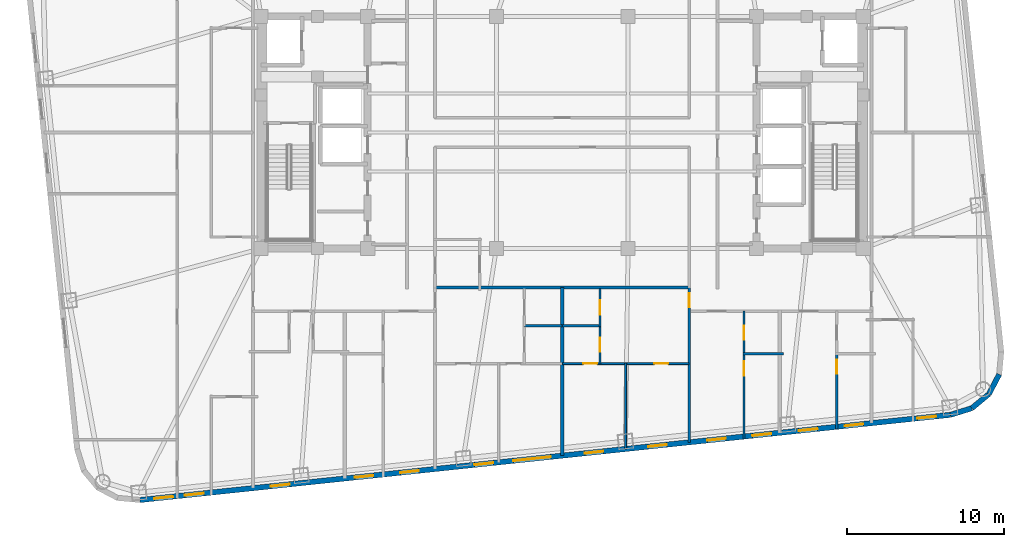
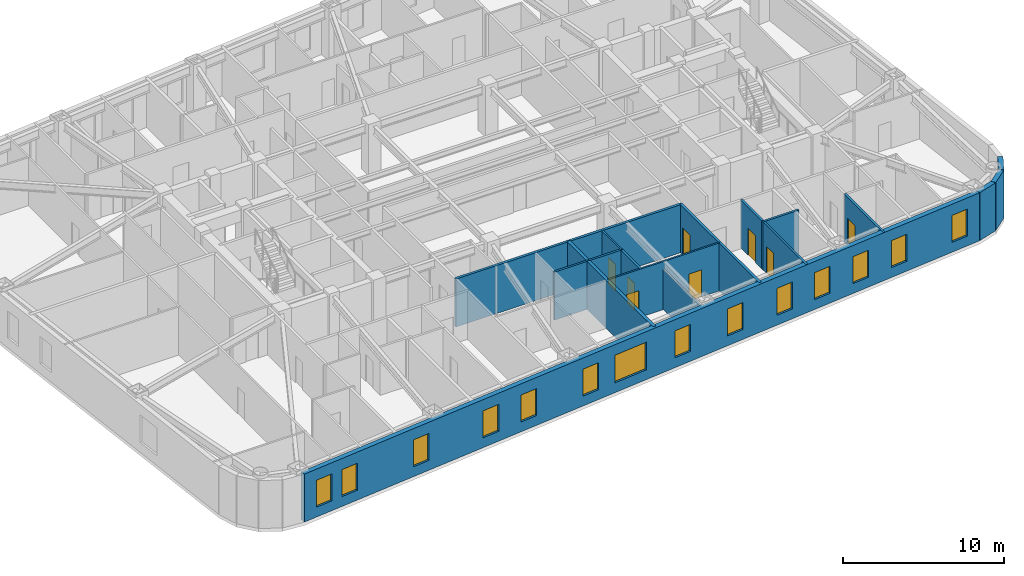
# One storey, part 5 of 12: 17 walls, 14 windows, 8 doors, 22 openings.
"""IFC4 building model written with IfcOpenShell, lengths in metres."""

from ifc_helpers import new_model, si_unit, direction, frame, frame_2d, origin, place, context, subcontext, project, spatial, rectangle, extrude, material, layer, layer_set, type_object, element, fill, save


model = new_model("IFC4")

# Units and contexts
model_context = context("Model", 3, precision=1e-05, world=origin(), true_north=direction((0.0, 1.0)))
body_context = subcontext(model_context, "Body", "Model", "MODEL_VIEW")
ifc_project = project(units=[si_unit("LENGTHUNIT", "METRE"), si_unit("AREAUNIT", "SQUARE_METRE"), si_unit("VOLUMEUNIT", "CUBIC_METRE"), si_unit("PLANEANGLEUNIT", "RADIAN"), si_unit("MASSUNIT", "GRAM", prefix="KILO")], contexts=[model_context])

# Site, building, storey
site_placement = place(None, origin())
site = spatial("IfcSite", under=ifc_project, at=site_placement, CompositionType="ELEMENT")
building_placement = place(site_placement, origin())
building = spatial("IfcBuilding", under=site, at=building_placement, Name="Voryun Gate Residences", CompositionType="ELEMENT")
storey_placement = place(building_placement, frame((0.0, 0.0, 152.10009765625)))
storey = spatial("IfcBuildingStorey", under=building, at=storey_placement, Name="L37", CompositionType="ELEMENT", Elevation=152.10009765625)

# Wall
ifc_material_1 = material(Name="Gypsum acoustic fireboard")
ifc_layer_1 = layer(ifc_material_1, 0.179931640625, Name="W_CORR_RATED_180")
ifc_layer_set_1 = layer_set([ifc_layer_1], Name="Gypsum acoustic fireboard")
wall_type_1 = type_object("IfcWallType", Name="W_CORR_RATED_180", PredefinedType="PARTITIONING", material=ifc_layer_set_1)
wall_1_placement = place(storey_placement, frame((-8.14990234375, -9.889892578125, 0.0), z_axis=(0.0, 0.0, 1.0), x_axis=(1.0, 0.0, 0.0)))
element("IfcWall", 1, at=wall_1_placement, inside=storey, type_object=wall_type_1, Name="Partition wall WP-L37-Z2S", PredefinedType="PARTITIONING", context=body_context, shape_type="SweptSolid", body=[
    extrude(rectangle(XDim=16.2998046875, YDim=0.179931640625, at=frame_2d((8.14990234375, 0.0))), origin(), (0.0, 0.0, 1.0), 3.64990234375),
])

# Wall, opening, door
wall_2_placement = place(storey_placement, frame((8.10009765625, -19.75390625, 0.0), z_axis=(0.0, 0.0, 1.0), x_axis=(0.0, 1.0, 0.0)))
wall_2 = element("IfcWall", 2, at=wall_2_placement, inside=storey, type_object=wall_type_1, Name="Partition wall WP-L37-SZV-2", PredefinedType="PARTITIONING", context=body_context, shape_type="SweptSolid", body=[
    extrude(rectangle(XDim=9.864013671875, YDim=0.179931640625, at=frame_2d((4.93212890625, 0.0))), origin(), (0.0, 0.0, 1.0), 3.64990234375),
])
opening_1_placement = place(wall_2_placement, frame((8.61376953125, 0.0, 0.0)))
opening_1 = element("IfcOpeningElement", 3, at=opening_1_placement, cuts=wall_2, Name="Opening D-INT-2", PredefinedType="OPENING", context=body_context, shape_type="SweptSolid", body=[
    extrude(rectangle(XDim=0.89990234375, YDim=2.050048828125, at=frame_2d((0.449951171875, 1.02490234375))), frame((0.0, 0.099853515625, 0.0), z_axis=(0.0, -1.0, 0.0), x_axis=(1.0, 0.0, 0.0)), (0.0, 0.0, 1.0), 0.199951171875),
])
ifc_material_2 = material(Name="Architectural oak veneer")
door_type = type_object("IfcDoorType", Name="DR_INT_BATH_900", OperationType="NOTDEFINED", PredefinedType="DOOR", material=ifc_material_2)
door_1_placement = place(opening_1_placement, origin())
door_1 = element("IfcDoor", 4, at=door_1_placement, inside=storey, type_object=door_type, Name="Door DR-L37-SZENT-2", OperationType="SINGLE_SWING_RIGHT", OverallHeight=2.050048828125, OverallWidth=0.89990234375, PredefinedType="DOOR", context=body_context, shape_type="SweptSolid", body=[
    extrude(rectangle(XDim=0.89990234375, YDim=2.050048828125, at=frame_2d((0.449951171875, 1.02490234375))), frame((0.0, 0.02490234375, 0.0), z_axis=(0.0, -1.0, 0.0), x_axis=(1.0, 0.0, 0.0)), (0.0, 0.0, 1.0), 0.050048828125),
])
fill(opening_1, door_1)

# Wall, openings, windows
ifc_material_3 = material(Name="Charcoal terracotta masonry", Category="masonry")
ifc_layer_2 = layer(ifc_material_3, 0.340087890625, Name="W_EXT_TERRACOTTA_340")
ifc_layer_set_2 = layer_set([ifc_layer_2], Name="Charcoal terracotta masonry")
wall_type_2 = type_object("IfcWallType", Name="W_EXT_TERRACOTTA_340", PredefinedType="ELEMENTEDWALL", material=ifc_layer_set_2)
wall_3_placement = place(storey_placement, frame((24.755615234375, -18.003173828125, 0.0), z_axis=(0.0, 0.0, 1.0), x_axis=(-0.99452160744, -0.104531202687, 0.0)))
wall_3 = element("IfcWall", 5, at=wall_3_placement, inside=storey, type_object=wall_type_2, Name="Exterior wall WEXT-L37-01", PredefinedType="ELEMENTEDWALL", context=body_context, shape_type="SweptSolid", body=[
    extrude(rectangle(XDim=51.966552734375, YDim=0.340087890625, at=frame_2d((25.9833984375, 0.0))), origin(), (0.0, 0.0, 1.0), 3.64990234375),
])
opening_2_placement = place(wall_3_placement, frame((25.63330078125, 0.0, 0.75)))
opening_2 = element("IfcOpeningElement", 6, at=opening_2_placement, cuts=wall_3, Name="Opening WN2", PredefinedType="OPENING", context=body_context, shape_type="SweptSolid", body=[
    extrude(rectangle(XDim=2.39990234375, YDim=2.10009765625, at=frame_2d((1.199951171875, 1.050048828125))), frame((0.0, 0.179931640625, 0.0), z_axis=(0.0, -1.0, 0.0), x_axis=(1.0, 0.0, 0.0)), (0.0, 0.0, 1.0), 0.360107421875),
])
opening_3_placement = place(wall_3_placement, frame((42.369384765625, 0.0, 0.75)))
opening_3 = element("IfcOpeningElement", 7, at=opening_3_placement, cuts=wall_3, Name="Opening WN6", PredefinedType="OPENING", context=body_context, shape_type="SweptSolid", body=[
    extrude(rectangle(XDim=1.199951171875, YDim=2.050048828125, at=frame_2d((0.60009765625, 1.02490234375))), frame((0.0, 0.179931640625, 0.0), z_axis=(0.0, -1.0, 0.0), x_axis=(1.0, 0.0, 0.0)), (0.0, 0.0, 1.0), 0.360107421875),
])
opening_4_placement = place(wall_3_placement, frame((34.084716796875, 0.0, 0.75)))
opening_4 = element("IfcOpeningElement", 8, at=opening_4_placement, cuts=wall_3, Name="Opening WN6", PredefinedType="OPENING", context=body_context, shape_type="SweptSolid", body=[
    extrude(rectangle(XDim=1.199951171875, YDim=2.050048828125, at=frame_2d((0.60009765625, 1.02490234375))), frame((0.0, 0.179931640625, 0.0), z_axis=(0.0, -1.0, 0.0), x_axis=(1.0, 0.0, 0.0)), (0.0, 0.0, 1.0), 0.360107421875),
])
opening_5_placement = place(wall_3_placement, frame((36.9931640625, 0.0, 0.75)))
opening_5 = element("IfcOpeningElement", 9, at=opening_5_placement, cuts=wall_3, Name="Opening WN6", PredefinedType="OPENING", context=body_context, shape_type="SweptSolid", body=[
    extrude(rectangle(XDim=1.199951171875, YDim=2.050048828125, at=frame_2d((0.60009765625, 1.02490234375))), frame((0.0, 0.179931640625, 0.0), z_axis=(0.0, -1.0, 0.0), x_axis=(1.0, 0.0, 0.0)), (0.0, 0.0, 1.0), 0.360107421875),
])
opening_6_placement = place(wall_3_placement, frame((14.3974609375, 0.0, 0.75)))
opening_6 = element("IfcOpeningElement", 10, at=opening_6_placement, cuts=wall_3, Name="Opening WN6", PredefinedType="OPENING", context=body_context, shape_type="SweptSolid", body=[
    extrude(rectangle(XDim=1.199951171875, YDim=2.050048828125, at=frame_2d((0.60009765625, 1.02490234375))), frame((0.0, 0.179931640625, 0.0), z_axis=(0.0, -1.0, 0.0), x_axis=(1.0, 0.0, 0.0)), (0.0, 0.0, 1.0), 0.360107421875),
])
opening_7_placement = place(wall_3_placement, frame((11.489013671875, 0.0, 0.75)))
opening_7 = element("IfcOpeningElement", 11, at=opening_7_placement, cuts=wall_3, Name="Opening WN6", PredefinedType="OPENING", context=body_context, shape_type="SweptSolid", body=[
    extrude(rectangle(XDim=1.199951171875, YDim=2.050048828125, at=frame_2d((0.60009765625, 1.02490234375))), frame((0.0, 0.179931640625, 0.0), z_axis=(0.0, -1.0, 0.0), x_axis=(1.0, 0.0, 0.0)), (0.0, 0.0, 1.0), 0.360107421875),
])
opening_8_placement = place(wall_3_placement, frame((8.520751953125, 0.0, 0.75)))
opening_8 = element("IfcOpeningElement", 12, at=opening_8_placement, cuts=wall_3, Name="Opening WN6", PredefinedType="OPENING", context=body_context, shape_type="SweptSolid", body=[
    extrude(rectangle(XDim=1.199951171875, YDim=2.050048828125, at=frame_2d((0.60009765625, 1.02490234375))), frame((0.0, 0.179931640625, 0.0), z_axis=(0.0, -1.0, 0.0), x_axis=(1.0, 0.0, 0.0)), (0.0, 0.0, 1.0), 0.360107421875),
])
opening_9_placement = place(wall_3_placement, frame((5.58203125, 0.0, 0.75)))
opening_9 = element("IfcOpeningElement", 13, at=opening_9_placement, cuts=wall_3, Name="Opening WN6", PredefinedType="OPENING", context=body_context, shape_type="SweptSolid", body=[
    extrude(rectangle(XDim=1.199951171875, YDim=2.050048828125, at=frame_2d((0.60009765625, 1.02490234375))), frame((0.0, 0.179931640625, 0.0), z_axis=(0.0, -1.0, 0.0), x_axis=(1.0, 0.0, 0.0)), (0.0, 0.0, 1.0), 0.360107421875),
])
opening_10_placement = place(wall_3_placement, frame((29.31298828125, 0.0, 0.75)))
opening_10 = element("IfcOpeningElement", 14, at=opening_10_placement, cuts=wall_3, Name="Opening WN6", PredefinedType="OPENING", context=body_context, shape_type="SweptSolid", body=[
    extrude(rectangle(XDim=1.199951171875, YDim=2.050048828125, at=frame_2d((0.60009765625, 1.02490234375))), frame((0.0, 0.179931640625, 0.0), z_axis=(0.0, -1.0, 0.0), x_axis=(1.0, 0.0, 0.0)), (0.0, 0.0, 1.0), 0.360107421875),
])
opening_11_placement = place(wall_3_placement, frame((22.248291015625, 0.0, 0.75)))
opening_11 = element("IfcOpeningElement", 15, at=opening_11_placement, cuts=wall_3, Name="Opening WN6", PredefinedType="OPENING", context=body_context, shape_type="SweptSolid", body=[
    extrude(rectangle(XDim=1.199951171875, YDim=2.050048828125, at=frame_2d((0.60009765625, 1.02490234375))), frame((0.0, 0.179931640625, 0.0), z_axis=(0.0, -1.0, 0.0), x_axis=(1.0, 0.0, 0.0)), (0.0, 0.0, 1.0), 0.360107421875),
])
opening_12_placement = place(wall_3_placement, frame((18.18603515625, 0.0, 0.75)))
opening_12 = element("IfcOpeningElement", 16, at=opening_12_placement, cuts=wall_3, Name="Opening WN6", PredefinedType="OPENING", context=body_context, shape_type="SweptSolid", body=[
    extrude(rectangle(XDim=1.199951171875, YDim=2.050048828125, at=frame_2d((0.60009765625, 1.02490234375))), frame((0.0, 0.179931640625, 0.0), z_axis=(0.0, -1.0, 0.0), x_axis=(1.0, 0.0, 0.0)), (0.0, 0.0, 1.0), 0.360107421875),
])
opening_13_placement = place(wall_3_placement, frame((47.87890625, 0.0, 0.75)))
opening_13 = element("IfcOpeningElement", 17, at=opening_13_placement, cuts=wall_3, Name="Opening WN6", PredefinedType="OPENING", context=body_context, shape_type="SweptSolid", body=[
    extrude(rectangle(XDim=1.199951171875, YDim=2.050048828125, at=frame_2d((0.60009765625, 1.02490234375))), frame((0.0, 0.179931640625, 0.0), z_axis=(0.0, -1.0, 0.0), x_axis=(1.0, 0.0, 0.0)), (0.0, 0.0, 1.0), 0.360107421875),
])
opening_14_placement = place(wall_3_placement, frame((49.84423828125, 0.0, 0.75)))
opening_14 = element("IfcOpeningElement", 18, at=opening_14_placement, cuts=wall_3, Name="Opening WN6", PredefinedType="OPENING", context=body_context, shape_type="SweptSolid", body=[
    extrude(rectangle(XDim=1.199951171875, YDim=2.050048828125, at=frame_2d((0.60009765625, 1.02490234375))), frame((0.0, 0.179931640625, 0.0), z_axis=(0.0, -1.0, 0.0), x_axis=(1.0, 0.0, 0.0)), (0.0, 0.0, 1.0), 0.360107421875),
])
opening_15_placement = place(wall_3_placement, frame((0.924560546875, 0.0, 0.75)))
opening_15 = element("IfcOpeningElement", 19, at=opening_15_placement, cuts=wall_3, Name="Opening WN6", PredefinedType="OPENING", context=body_context, shape_type="SweptSolid", body=[
    extrude(rectangle(XDim=1.199951171875, YDim=2.050048828125, at=frame_2d((0.60009765625, 1.02490234375))), frame((0.0, 0.179931640625, 0.0), z_axis=(0.0, -1.0, 0.0), x_axis=(1.0, 0.0, 0.0)), (0.0, 0.0, 1.0), 0.360107421875),
])
ifc_material_4 = material(Name="Laminated low-E glass", Category="glass")
window_type_1 = type_object("IfcWindowType", Name="WN_POD_SLOT_1200", PartitioningType="SINGLE_PANEL", PredefinedType="WINDOW", material=ifc_material_4)
window_1_placement = place(opening_3_placement, origin())
window_1 = element("IfcWindow", 20, at=window_1_placement, inside=storey, type_object=window_type_1, Name="Window WN-L37-DWFIX-10", OverallHeight=2.050048828125, OverallWidth=1.199951171875, PartitioningType="SINGLE_PANEL", PredefinedType="WINDOW", context=body_context, shape_type="SweptSolid", body=[
    extrude(rectangle(XDim=1.199951171875, YDim=2.050048828125, at=frame_2d((0.60009765625, 1.02490234375))), frame((0.0, 0.030029296875, 0.0), z_axis=(0.0, -1.0, 0.0), x_axis=(1.0, 0.0, 0.0)), (0.0, 0.0, 1.0), 0.06005859375),
])
fill(opening_3, window_1)
window_2_placement = place(opening_4_placement, origin())
window_2 = element("IfcWindow", 21, at=window_2_placement, inside=storey, type_object=window_type_1, Name="Window WN-L37-DWFIX-11", OverallHeight=2.050048828125, OverallWidth=1.199951171875, PartitioningType="SINGLE_PANEL", PredefinedType="WINDOW", context=body_context, shape_type="SweptSolid", body=[
    extrude(rectangle(XDim=1.199951171875, YDim=2.050048828125, at=frame_2d((0.60009765625, 1.02490234375))), frame((0.0, 0.030029296875, 0.0), z_axis=(0.0, -1.0, 0.0), x_axis=(1.0, 0.0, 0.0)), (0.0, 0.0, 1.0), 0.06005859375),
])
fill(opening_4, window_2)
window_3_placement = place(opening_5_placement, origin())
window_3 = element("IfcWindow", 22, at=window_3_placement, inside=storey, type_object=window_type_1, Name="Window WN-L37-DWFIX-12", OverallHeight=2.050048828125, OverallWidth=1.199951171875, PartitioningType="SINGLE_PANEL", PredefinedType="WINDOW", context=body_context, shape_type="SweptSolid", body=[
    extrude(rectangle(XDim=1.199951171875, YDim=2.050048828125, at=frame_2d((0.60009765625, 1.02490234375))), frame((0.0, 0.030029296875, 0.0), z_axis=(0.0, -1.0, 0.0), x_axis=(1.0, 0.0, 0.0)), (0.0, 0.0, 1.0), 0.06005859375),
])
fill(opening_5, window_3)
window_4_placement = place(opening_6_placement, origin())
window_4 = element("IfcWindow", 23, at=window_4_placement, inside=storey, type_object=window_type_1, Name="Window WN-L37-DWFIX-13", OverallHeight=2.050048828125, OverallWidth=1.199951171875, PartitioningType="SINGLE_PANEL", PredefinedType="WINDOW", context=body_context, shape_type="SweptSolid", body=[
    extrude(rectangle(XDim=1.199951171875, YDim=2.050048828125, at=frame_2d((0.60009765625, 1.02490234375))), frame((0.0, 0.030029296875, 0.0), z_axis=(0.0, -1.0, 0.0), x_axis=(1.0, 0.0, 0.0)), (0.0, 0.0, 1.0), 0.06005859375),
])
fill(opening_6, window_4)
window_5_placement = place(opening_7_placement, origin())
window_5 = element("IfcWindow", 24, at=window_5_placement, inside=storey, type_object=window_type_1, Name="Window WN-L37-DWFIX-14", OverallHeight=2.050048828125, OverallWidth=1.199951171875, PartitioningType="SINGLE_PANEL", PredefinedType="WINDOW", context=body_context, shape_type="SweptSolid", body=[
    extrude(rectangle(XDim=1.199951171875, YDim=2.050048828125, at=frame_2d((0.60009765625, 1.02490234375))), frame((0.0, 0.030029296875, 0.0), z_axis=(0.0, -1.0, 0.0), x_axis=(1.0, 0.0, 0.0)), (0.0, 0.0, 1.0), 0.06005859375),
])
fill(opening_7, window_5)
window_6_placement = place(opening_8_placement, origin())
window_6 = element("IfcWindow", 25, at=window_6_placement, inside=storey, type_object=window_type_1, Name="Window WN-L37-DWFIX-15", OverallHeight=2.050048828125, OverallWidth=1.199951171875, PartitioningType="SINGLE_PANEL", PredefinedType="WINDOW", context=body_context, shape_type="SweptSolid", body=[
    extrude(rectangle(XDim=1.199951171875, YDim=2.050048828125, at=frame_2d((0.60009765625, 1.02490234375))), frame((0.0, 0.030029296875, 0.0), z_axis=(0.0, -1.0, 0.0), x_axis=(1.0, 0.0, 0.0)), (0.0, 0.0, 1.0), 0.06005859375),
])
fill(opening_8, window_6)
window_7_placement = place(opening_9_placement, origin())
window_7 = element("IfcWindow", 26, at=window_7_placement, inside=storey, type_object=window_type_1, Name="Window WN-L37-DWFIX-16", OverallHeight=2.050048828125, OverallWidth=1.199951171875, PartitioningType="SINGLE_PANEL", PredefinedType="WINDOW", context=body_context, shape_type="SweptSolid", body=[
    extrude(rectangle(XDim=1.199951171875, YDim=2.050048828125, at=frame_2d((0.60009765625, 1.02490234375))), frame((0.0, 0.030029296875, 0.0), z_axis=(0.0, -1.0, 0.0), x_axis=(1.0, 0.0, 0.0)), (0.0, 0.0, 1.0), 0.06005859375),
])
fill(opening_9, window_7)
window_8_placement = place(opening_10_placement, origin())
window_8 = element("IfcWindow", 27, at=window_8_placement, inside=storey, type_object=window_type_1, Name="Window WN-L37-DWFIX-17", OverallHeight=2.050048828125, OverallWidth=1.199951171875, PartitioningType="SINGLE_PANEL", PredefinedType="WINDOW", context=body_context, shape_type="SweptSolid", body=[
    extrude(rectangle(XDim=1.199951171875, YDim=2.050048828125, at=frame_2d((0.60009765625, 1.02490234375))), frame((0.0, 0.030029296875, 0.0), z_axis=(0.0, -1.0, 0.0), x_axis=(1.0, 0.0, 0.0)), (0.0, 0.0, 1.0), 0.06005859375),
])
fill(opening_10, window_8)
window_9_placement = place(opening_11_placement, origin())
window_9 = element("IfcWindow", 28, at=window_9_placement, inside=storey, type_object=window_type_1, Name="Window WN-L37-DWFIX-18", OverallHeight=2.050048828125, OverallWidth=1.199951171875, PartitioningType="SINGLE_PANEL", PredefinedType="WINDOW", context=body_context, shape_type="SweptSolid", body=[
    extrude(rectangle(XDim=1.199951171875, YDim=2.050048828125, at=frame_2d((0.60009765625, 1.02490234375))), frame((0.0, 0.030029296875, 0.0), z_axis=(0.0, -1.0, 0.0), x_axis=(1.0, 0.0, 0.0)), (0.0, 0.0, 1.0), 0.06005859375),
])
fill(opening_11, window_9)
window_10_placement = place(opening_12_placement, origin())
window_10 = element("IfcWindow", 29, at=window_10_placement, inside=storey, type_object=window_type_1, Name="Window WN-L37-DWFIX-19", OverallHeight=2.050048828125, OverallWidth=1.199951171875, PartitioningType="SINGLE_PANEL", PredefinedType="WINDOW", context=body_context, shape_type="SweptSolid", body=[
    extrude(rectangle(XDim=1.199951171875, YDim=2.050048828125, at=frame_2d((0.60009765625, 1.02490234375))), frame((0.0, 0.030029296875, 0.0), z_axis=(0.0, -1.0, 0.0), x_axis=(1.0, 0.0, 0.0)), (0.0, 0.0, 1.0), 0.06005859375),
])
fill(opening_12, window_10)
window_11_placement = place(opening_13_placement, origin())
window_11 = element("IfcWindow", 30, at=window_11_placement, inside=storey, type_object=window_type_1, Name="Window WN-L37-DWFIX-20", OverallHeight=2.050048828125, OverallWidth=1.199951171875, PartitioningType="SINGLE_PANEL", PredefinedType="WINDOW", context=body_context, shape_type="SweptSolid", body=[
    extrude(rectangle(XDim=1.199951171875, YDim=2.050048828125, at=frame_2d((0.60009765625, 1.02490234375))), frame((0.0, 0.030029296875, 0.0), z_axis=(0.0, -1.0, 0.0), x_axis=(1.0, 0.0, 0.0)), (0.0, 0.0, 1.0), 0.06005859375),
])
fill(opening_13, window_11)
window_12_placement = place(opening_14_placement, origin())
window_12 = element("IfcWindow", 31, at=window_12_placement, inside=storey, type_object=window_type_1, Name="Window WN-L37-DWFIX-22", OverallHeight=2.050048828125, OverallWidth=1.199951171875, PartitioningType="SINGLE_PANEL", PredefinedType="WINDOW", context=body_context, shape_type="SweptSolid", body=[
    extrude(rectangle(XDim=1.199951171875, YDim=2.050048828125, at=frame_2d((0.60009765625, 1.02490234375))), frame((0.0, 0.030029296875, 0.0), z_axis=(0.0, -1.0, 0.0), x_axis=(1.0, 0.0, 0.0)), (0.0, 0.0, 1.0), 0.06005859375),
])
fill(opening_14, window_12)
window_13_placement = place(opening_15_placement, origin())
window_13 = element("IfcWindow", 32, at=window_13_placement, inside=storey, type_object=window_type_1, Name="Window WN-L37-DWFIX-26", OverallHeight=2.050048828125, OverallWidth=1.199951171875, PartitioningType="SINGLE_PANEL", PredefinedType="WINDOW", context=body_context, shape_type="SweptSolid", body=[
    extrude(rectangle(XDim=1.199951171875, YDim=2.050048828125, at=frame_2d((0.60009765625, 1.02490234375))), frame((0.0, 0.030029296875, 0.0), z_axis=(0.0, -1.0, 0.0), x_axis=(1.0, 0.0, 0.0)), (0.0, 0.0, 1.0), 0.06005859375),
])
fill(opening_15, window_13)
ifc_material_5 = material(Name="Laminated low-E glass", Category="glass")
window_type_2 = type_object("IfcWindowType", Name="WN_RES_WIDE_2400", PartitioningType="SINGLE_PANEL", PredefinedType="WINDOW", material=ifc_material_5)
window_14_placement = place(opening_2_placement, origin())
window_14 = element("IfcWindow", 33, at=window_14_placement, inside=storey, type_object=window_type_2, Name="Window WN-WEXT-L37-01-02", OverallHeight=2.10009765625, OverallWidth=2.39990234375, PartitioningType="SINGLE_PANEL", PredefinedType="WINDOW", context=body_context, shape_type="SweptSolid", body=[
    extrude(rectangle(XDim=2.39990234375, YDim=2.10009765625, at=frame_2d((1.199951171875, 1.050048828125))), frame((0.0, 0.030029296875, 0.0), z_axis=(0.0, -1.0, 0.0), x_axis=(1.0, 0.0, 0.0)), (0.0, 0.0, 1.0), 0.06005859375),
])
fill(opening_2, window_14)

# Walls
for number, where, z_axis, x_axis, name in (
    (34, (27.8701171875, -15.42138671875, 0.0), (0.0, 0.0, 1.0), (-0.465682431293, -0.884951904447, 0.0), "Exterior wall WEXT-L37-18"),
    (35, (27.211181640625, -16.673583984375, 0.0), (0.0, 0.0, 1.0), (-0.768758372808, -0.639539337522, 0.0), "Exterior wall WEXT-L37-19"),
):
    element("IfcWall", number, at=place(storey_placement, frame(where, z_axis=z_axis, x_axis=x_axis)), inside=storey, type_object=wall_type_2, Name=name, PredefinedType="ELEMENTEDWALL", context=body_context, shape_type="SweptSolid", body=[
        extrude(rectangle(XDim=1.4150390625, YDim=0.340087890625, at=frame_2d((0.70751953125, 0.0))), origin(), (0.0, 0.0, 1.0), 3.64990234375),
    ])
wall_4_placement = place(storey_placement, frame((26.123291015625, -17.57861328125, 0.0), z_axis=(0.0, 0.0, 1.0), x_axis=(-0.955042500381, -0.296468923271, 0.0)))
element("IfcWall", 36, at=wall_4_placement, inside=storey, type_object=wall_type_2, Name="Exterior wall WEXT-L37-20", PredefinedType="ELEMENTEDWALL", context=body_context, shape_type="SweptSolid", body=[
    extrude(rectangle(XDim=1.43212890625, YDim=0.340087890625, at=frame_2d((0.716064453125, 0.0))), origin(), (0.0, 0.0, 1.0), 3.64990234375),
])
ifc_material_6 = material(Name="Concrete C40/50", Category="concrete")
ifc_layer_3 = layer(ifc_material_6, 0.219970703125, Name="W_PARTY_ACOUSTIC_220")
ifc_layer_set_3 = layer_set([ifc_layer_3], Name="Concrete C40/50")
wall_type_3 = type_object("IfcWallType", Name="W_PARTY_ACOUSTIC_220", PredefinedType="PARTITIONING", material=ifc_layer_set_3)
wall_5_placement = place(storey_placement, frame((0.0, -20.60498046875, 0.0), z_axis=(0.0, 0.0, 1.0), x_axis=(0.0, 1.0, 0.0)))
element("IfcWall", 37, at=wall_5_placement, inside=storey, type_object=wall_type_3, Name="Partition wall WP-L37-SZMID", PredefinedType="PARTITIONING", context=body_context, shape_type="SweptSolid", body=[
    extrude(rectangle(XDim=10.715087890625, YDim=0.219970703125, at=frame_2d((5.357421875, 0.0))), origin(), (0.0, 0.0, 1.0), 3.64990234375),
])

# Wall, openings, doors
ifc_material_7 = material(Name="Gypsum acoustic partition")
ifc_layer_4 = layer(ifc_material_7, 0.125, Name="W_UNIT_PART_125")
ifc_layer_set_4 = layer_set([ifc_layer_4], Name="Gypsum acoustic partition")
wall_type_4 = type_object("IfcWallType", Name="W_UNIT_PART_125", PredefinedType="PARTITIONING", material=ifc_layer_set_4)
wall_6_placement = place(storey_placement, frame((0.02001953125, -14.72998046875, 0.0), z_axis=(0.0, 0.0, 1.0), x_axis=(1.0, 0.0, 0.0)))
wall_6 = element("IfcWall", 38, at=wall_6_placement, inside=storey, type_object=wall_type_4, Name="Partition wall WP-L37-SC2-HZ", PredefinedType="PARTITIONING", context=body_context, shape_type="SweptSolid", body=[
    extrude(rectangle(XDim=8.06005859375, YDim=0.125, at=frame_2d((4.030029296875, 0.0))), origin(), (0.0, 0.0, 1.0), 3.64990234375),
])
opening_16_placement = place(wall_6_placement, frame((1.3232421875, 0.0, 0.0)))
opening_16 = element("IfcOpeningElement", 39, at=opening_16_placement, cuts=wall_6, Name="Opening D-INT-2", PredefinedType="OPENING", context=body_context, shape_type="SweptSolid", body=[
    extrude(rectangle(XDim=0.89990234375, YDim=2.050048828125, at=frame_2d((0.449951171875, 1.02490234375))), frame((0.0, 0.072509765625, 0.0), z_axis=(0.0, -1.0, 0.0), x_axis=(1.0, 0.0, 0.0)), (0.0, 0.0, 1.0), 0.14501953125),
])
opening_17_placement = place(wall_6_placement, frame((5.8369140625, 0.0, 0.0)))
opening_17 = element("IfcOpeningElement", 40, at=opening_17_placement, cuts=wall_6, Name="Opening D-INT-2", PredefinedType="OPENING", context=body_context, shape_type="SweptSolid", body=[
    extrude(rectangle(XDim=0.89990234375, YDim=2.050048828125, at=frame_2d((0.449951171875, 1.02490234375))), frame((0.0, 0.072509765625, 0.0), z_axis=(0.0, -1.0, 0.0), x_axis=(1.0, 0.0, 0.0)), (0.0, 0.0, 1.0), 0.14501953125),
])
door_2_placement = place(opening_16_placement, origin())
door_2 = element("IfcDoor", 41, at=door_2_placement, inside=storey, type_object=door_type, Name="Door DR-L37-SC2-DMB", OperationType="SINGLE_SWING_LEFT", OverallHeight=2.050048828125, OverallWidth=0.89990234375, PredefinedType="DOOR", context=body_context, shape_type="SweptSolid", body=[
    extrude(rectangle(XDim=0.89990234375, YDim=2.050048828125, at=frame_2d((0.449951171875, 1.02490234375))), frame((0.0, 0.02490234375, 0.0), z_axis=(0.0, -1.0, 0.0), x_axis=(1.0, 0.0, 0.0)), (0.0, 0.0, 1.0), 0.050048828125),
])
fill(opening_16, door_2)
door_3_placement = place(opening_17_placement, origin())
door_3 = element("IfcDoor", 42, at=door_3_placement, inside=storey, type_object=door_type, Name="Door DR-L37-SC2-DBD2", OperationType="SINGLE_SWING_RIGHT", OverallHeight=2.050048828125, OverallWidth=0.89990234375, PredefinedType="DOOR", context=body_context, shape_type="SweptSolid", body=[
    extrude(rectangle(XDim=0.89990234375, YDim=2.050048828125, at=frame_2d((0.449951171875, 1.02490234375))), frame((0.0, 0.02490234375, 0.0), z_axis=(0.0, -1.0, 0.0), x_axis=(1.0, 0.0, 0.0)), (0.0, 0.0, 1.0), 0.050048828125),
])
fill(opening_17, door_3)

# Wall, opening, door
wall_7_placement = place(storey_placement, frame((2.409912109375, -12.360107421875, 0.0), z_axis=(0.0, 0.0, 1.0), x_axis=(0.0, 1.0, 0.0)))
wall_7 = element("IfcWall", 43, at=wall_7_placement, inside=storey, type_object=wall_type_4, Name="Partition wall WP-L37-SC2-VK1", PredefinedType="PARTITIONING", context=body_context, shape_type="SweptSolid", body=[
    extrude(rectangle(XDim=2.41015625, YDim=0.125, at=frame_2d((1.205078125, 0.0))), origin(), (0.0, 0.0, 1.0), 3.64990234375),
])
opening_18_placement = place(wall_7_placement, frame((0.7548828125, 0.0, 0.0)))
opening_18 = element("IfcOpeningElement", 44, at=opening_18_placement, cuts=wall_7, Name="Opening D-INT-2", PredefinedType="OPENING", context=body_context, shape_type="SweptSolid", body=[
    extrude(rectangle(XDim=0.89990234375, YDim=2.050048828125, at=frame_2d((0.449951171875, 1.02490234375))), frame((0.0, 0.072509765625, 0.0), z_axis=(0.0, -1.0, 0.0), x_axis=(1.0, 0.0, 0.0)), (0.0, 0.0, 1.0), 0.14501953125),
])
door_4_placement = place(opening_18_placement, origin())
door_4 = element("IfcDoor", 45, at=door_4_placement, inside=storey, type_object=door_type, Name="Door DR-L37-SC2-DK", OperationType="SINGLE_SWING_LEFT", OverallHeight=2.050048828125, OverallWidth=0.89990234375, PredefinedType="DOOR", context=body_context, shape_type="SweptSolid", body=[
    extrude(rectangle(XDim=0.89990234375, YDim=2.050048828125, at=frame_2d((0.449951171875, 1.02490234375))), frame((0.0, 0.02490234375, 0.0), z_axis=(0.0, -1.0, 0.0), x_axis=(1.0, 0.0, 0.0)), (0.0, 0.0, 1.0), 0.050048828125),
])
fill(opening_18, door_4)

# Walls
wall_8_placement = place(storey_placement, frame((4.050048828125, -20.179443359375, 0.0), z_axis=(0.0, 0.0, 1.0), x_axis=(0.0, 1.0, 0.0)))
element("IfcWall", 46, at=wall_8_placement, inside=storey, type_object=wall_type_4, Name="Partition wall WP-L37-SC2-VBD", PredefinedType="PARTITIONING", context=body_context, shape_type="SweptSolid", body=[
    extrude(rectangle(XDim=5.489501953125, YDim=0.125, at=frame_2d((2.74462890625, 0.0))), origin(), (0.0, 0.0, 1.0), 3.039794921875),
])
ifc_material_8 = material(Name="Gypsum moisture-resistant partition")
ifc_layer_5 = layer(ifc_material_8, 0.14990234375, Name="W_WET_PLUMB_150")
ifc_layer_set_5 = layer_set([ifc_layer_5], Name="Gypsum moisture-resistant partition")
wall_type_5 = type_object("IfcWallType", Name="W_WET_PLUMB_150", PredefinedType="PLUMBINGWALL", material=ifc_layer_set_5)
wall_9_placement = place(storey_placement, frame((11.51611328125, -14.10009765625, 0.0), z_axis=(0.0, 0.0, 1.0), x_axis=(1.0, 0.0, 0.0)))
element("IfcWall", 47, at=wall_9_placement, inside=storey, type_object=wall_type_5, Name="Partition wall WP-L37-S4-SKB", PredefinedType="PLUMBINGWALL", context=body_context, shape_type="SweptSolid", body=[
    extrude(rectangle(XDim=2.60888671875, YDim=0.14990234375, at=frame_2d((1.304443359375, 0.0))), origin(), (0.0, 0.0, 1.0), 3.64990234375),
])

# Wall, opening, door
wall_10_placement = place(storey_placement, frame((11.595947265625, -19.537109375, 0.0), z_axis=(0.0, 0.0, 1.0), x_axis=(0.0, 1.0, 0.0)))
wall_10 = element("IfcWall", 48, at=wall_10_placement, inside=storey, type_object=wall_type_5, Name="Partition wall WP-L37-S4-SVT1", PredefinedType="PLUMBINGWALL", context=body_context, shape_type="SweptSolid", body=[
    extrude(rectangle(XDim=5.47705078125, YDim=0.14990234375, at=frame_2d((2.738525390625, 0.0))), origin(), (0.0, 0.0, 1.0), 3.64990234375),
])
opening_19_placement = place(wall_10_placement, frame((4.041259765625, 0.0, 0.0)))
opening_19 = element("IfcOpeningElement", 49, at=opening_19_placement, cuts=wall_10, Name="Opening D-INT-2", PredefinedType="OPENING", context=body_context, shape_type="SweptSolid", body=[
    extrude(rectangle(XDim=0.89990234375, YDim=2.050048828125, at=frame_2d((0.449951171875, 1.02490234375))), frame((0.0, 0.0849609375, 0.0), z_axis=(0.0, -1.0, 0.0), x_axis=(1.0, 0.0, 0.0)), (0.0, 0.0, 1.0), 0.169921875),
])
door_5_placement = place(opening_19_placement, origin())
door_5 = element("IfcDoor", 50, at=door_5_placement, inside=storey, type_object=door_type, Name="Door DR-L37-S4-DK", OperationType="SINGLE_SWING_LEFT", OverallHeight=2.050048828125, OverallWidth=0.89990234375, PredefinedType="DOOR", context=body_context, shape_type="SweptSolid", body=[
    extrude(rectangle(XDim=0.89990234375, YDim=2.050048828125, at=frame_2d((0.449951171875, 1.02490234375))), frame((0.0, 0.02490234375, 0.0), z_axis=(0.0, -1.0, 0.0), x_axis=(1.0, 0.0, 0.0)), (0.0, 0.0, 1.0), 0.050048828125),
])
fill(opening_19, door_5)

wall_11_placement = place(storey_placement, frame((11.595947265625, -14.139892578125, 0.0), z_axis=(0.0, 0.0, 1.0), x_axis=(0.0, 1.0, 0.0)))
wall_11 = element("IfcWall", 51, at=wall_11_placement, inside=storey, type_object=wall_type_5, Name="Partition wall WP-L37-S4-SVT2", PredefinedType="PLUMBINGWALL", context=body_context, shape_type="SweptSolid", body=[
    extrude(rectangle(XDim=2.760009765625, YDim=0.14990234375, at=frame_2d((1.3798828125, 0.0))), origin(), (0.0, 0.0, 1.0), 3.64990234375),
])
opening_20_placement = place(wall_11_placement, frame((0.929931640625, 0.0, 0.0)))
opening_20 = element("IfcOpeningElement", 52, at=opening_20_placement, cuts=wall_11, Name="Opening D-INT-2", PredefinedType="OPENING", context=body_context, shape_type="SweptSolid", body=[
    extrude(rectangle(XDim=0.89990234375, YDim=2.050048828125, at=frame_2d((0.449951171875, 1.02490234375))), frame((0.0, 0.0849609375, 0.0), z_axis=(0.0, -1.0, 0.0), x_axis=(1.0, 0.0, 0.0)), (0.0, 0.0, 1.0), 0.169921875),
])
door_6_placement = place(opening_20_placement, origin())
door_6 = element("IfcDoor", 53, at=door_6_placement, inside=storey, type_object=door_type, Name="Door DR-L37-S4-DB", OperationType="SINGLE_SWING_RIGHT", OverallHeight=2.050048828125, OverallWidth=0.89990234375, PredefinedType="DOOR", context=body_context, shape_type="SweptSolid", body=[
    extrude(rectangle(XDim=0.89990234375, YDim=2.050048828125, at=frame_2d((0.449951171875, 1.02490234375))), frame((0.0, 0.02490234375, 0.0), z_axis=(0.0, -1.0, 0.0), x_axis=(1.0, 0.0, 0.0)), (0.0, 0.0, 1.0), 0.050048828125),
])
fill(opening_20, door_6)

wall_12_placement = place(storey_placement, frame((17.5, -18.91650390625, 0.0), z_axis=(0.0, 0.0, 1.0), x_axis=(0.0, 1.0, 0.0)))
wall_12 = element("IfcWall", 54, at=wall_12_placement, inside=storey, type_object=wall_type_5, Name="Partition wall WP-L37-S5-SVT1", PredefinedType="PLUMBINGWALL", context=body_context, shape_type="SweptSolid", body=[
    extrude(rectangle(XDim=4.8564453125, YDim=0.14990234375, at=frame_2d((2.42822265625, 0.0))), origin(), (0.0, 0.0, 1.0), 3.64990234375),
])
opening_21_placement = place(wall_12_placement, frame((3.532470703125, 0.0, 0.0)))
opening_21 = element("IfcOpeningElement", 55, at=opening_21_placement, cuts=wall_12, Name="Opening D-INT-2", PredefinedType="OPENING", context=body_context, shape_type="SweptSolid", body=[
    extrude(rectangle(XDim=0.89990234375, YDim=2.050048828125, at=frame_2d((0.449951171875, 1.02490234375))), frame((0.0, 0.0849609375, 0.0), z_axis=(0.0, -1.0, 0.0), x_axis=(1.0, 0.0, 0.0)), (0.0, 0.0, 1.0), 0.169921875),
])
door_7_placement = place(opening_21_placement, origin())
door_7 = element("IfcDoor", 56, at=door_7_placement, inside=storey, type_object=door_type, Name="Door DR-L37-S5-DK", OperationType="SINGLE_SWING_LEFT", OverallHeight=2.050048828125, OverallWidth=0.89990234375, PredefinedType="DOOR", context=body_context, shape_type="SweptSolid", body=[
    extrude(rectangle(XDim=0.89990234375, YDim=2.050048828125, at=frame_2d((0.449951171875, 1.02490234375))), frame((0.0, 0.02490234375, 0.0), z_axis=(0.0, -1.0, 0.0), x_axis=(1.0, 0.0, 0.0)), (0.0, 0.0, 1.0), 0.050048828125),
])
fill(opening_21, door_7)

# Wall
wall_13_placement = place(storey_placement, frame((-2.449951171875, -12.330078125, 0.0), z_axis=(0.0, 0.0, 1.0), x_axis=(1.0, 0.0, 0.0)))
element("IfcWall", 57, at=wall_13_placement, inside=storey, type_object=wall_type_5, Name="Partition wall WP-L37-SC1-HKB", PredefinedType="PLUMBINGWALL", context=body_context, shape_type="SweptSolid", body=[
    extrude(rectangle(XDim=2.429931640625, YDim=0.14990234375, at=frame_2d((1.21484375, 0.0))), origin(), (0.0, 0.0, 1.0), 3.64990234375),
])

# Wall, opening, door
wall_14_placement = place(storey_placement, frame((2.409912109375, -14.77001953125, 0.0), z_axis=(0.0, 0.0, 1.0), x_axis=(0.0, 1.0, 0.0)))
wall_14 = element("IfcWall", 58, at=wall_14_placement, inside=storey, type_object=wall_type_5, Name="Partition wall WP-L37-SC2-VK2", PredefinedType="PLUMBINGWALL", context=body_context, shape_type="SweptSolid", body=[
    extrude(rectangle(XDim=2.469970703125, YDim=0.14990234375, at=frame_2d((1.23486328125, 0.0))), origin(), (0.0, 0.0, 1.0), 3.64990234375),
])
opening_22_placement = place(wall_14_placement, frame((0.784912109375, 0.0, 0.0)))
opening_22 = element("IfcOpeningElement", 59, at=opening_22_placement, cuts=wall_14, Name="Opening D-INT-2", PredefinedType="OPENING", context=body_context, shape_type="SweptSolid", body=[
    extrude(rectangle(XDim=0.89990234375, YDim=2.050048828125, at=frame_2d((0.449951171875, 1.02490234375))), frame((0.0, 0.0849609375, 0.0), z_axis=(0.0, -1.0, 0.0), x_axis=(1.0, 0.0, 0.0)), (0.0, 0.0, 1.0), 0.169921875),
])
door_8_placement = place(opening_22_placement, origin())
door_8 = element("IfcDoor", 60, at=door_8_placement, inside=storey, type_object=door_type, Name="Door DR-L37-SC2-DB", OperationType="SINGLE_SWING_RIGHT", OverallHeight=2.050048828125, OverallWidth=0.89990234375, PredefinedType="DOOR", context=body_context, shape_type="SweptSolid", body=[
    extrude(rectangle(XDim=0.89990234375, YDim=2.050048828125, at=frame_2d((0.449951171875, 1.02490234375))), frame((0.0, 0.02490234375, 0.0), z_axis=(0.0, -1.0, 0.0), x_axis=(1.0, 0.0, 0.0)), (0.0, 0.0, 1.0), 0.050048828125),
])
fill(opening_22, door_8)

# Wall
wall_15_placement = place(storey_placement, frame((0.02001953125, -12.330078125, 0.0), z_axis=(0.0, 0.0, 1.0), x_axis=(1.0, 0.0, 0.0)))
element("IfcWall", 61, at=wall_15_placement, inside=storey, type_object=wall_type_5, Name="Partition wall WP-L37-SC2-HKB", PredefinedType="PLUMBINGWALL", context=body_context, shape_type="SweptSolid", body=[
    extrude(rectangle(XDim=2.429931640625, YDim=0.14990234375, at=frame_2d((1.21484375, 0.0))), origin(), (0.0, 0.0, 1.0), 3.64990234375),
])

save(model, "model.ifc")
